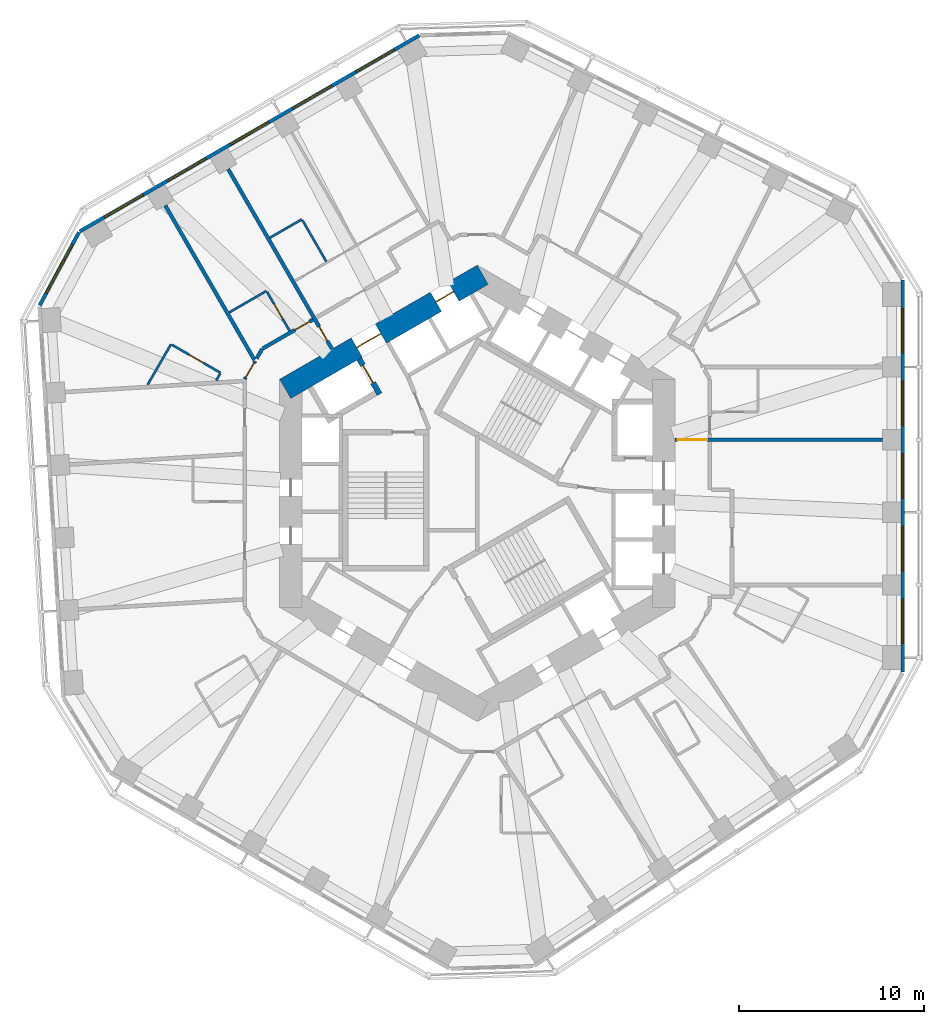
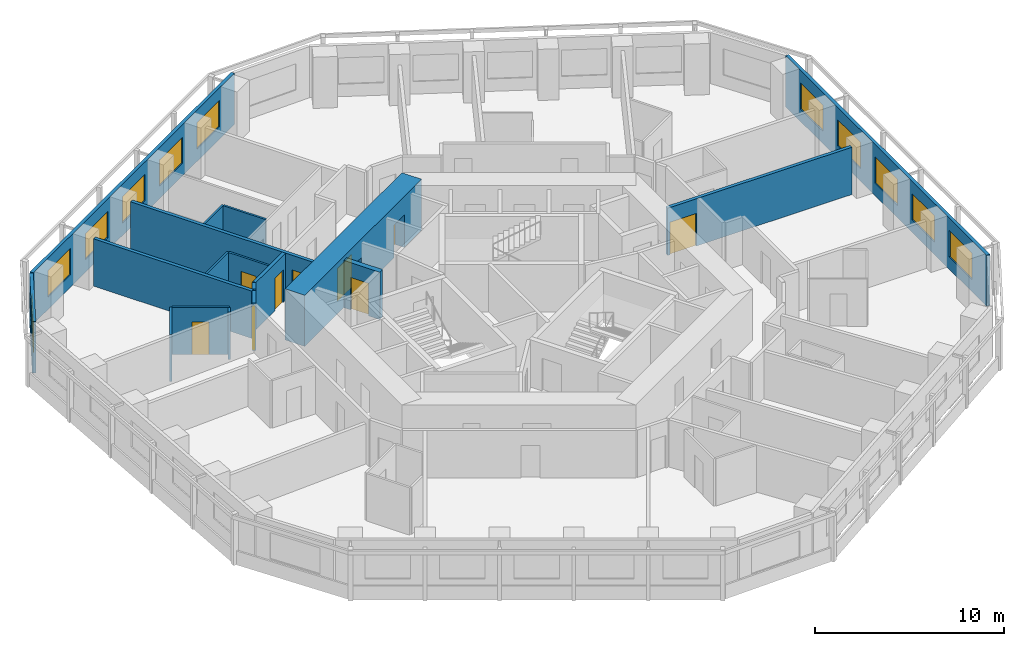
# One storey, part 7 of 12: 18 walls, 11 windows, 9 doors, 20 openings.
"""IFC4 building model written with IfcOpenShell, lengths in metres."""

from ifc_helpers import new_model, si_unit, direction, frame, frame_2d, origin, place, context, subcontext, project, spatial, rectangle, extrude, material, layer, layer_set, type_object, element, fill, save


model = new_model("IFC4")

# Units and contexts
model_context = context("Model", 3, precision=1e-05, world=origin(), true_north=direction((0.0, 1.0)))
body_context = subcontext(model_context, "Body", "Model", "MODEL_VIEW")
ifc_project = project(units=[si_unit("LENGTHUNIT", "METRE"), si_unit("AREAUNIT", "SQUARE_METRE"), si_unit("VOLUMEUNIT", "CUBIC_METRE"), si_unit("PLANEANGLEUNIT", "RADIAN"), si_unit("MASSUNIT", "GRAM", prefix="KILO")], contexts=[model_context])

# Site, building, storey
site_placement = place(None, origin())
site = spatial("IfcSite", under=ifc_project, at=site_placement, CompositionType="ELEMENT")
building_placement = place(site_placement, origin())
building = spatial("IfcBuilding", under=site, at=building_placement, Name="Vanh Sen Convention Tower", CompositionType="ELEMENT")
storey_placement = place(building_placement, frame((0.0, 0.0, 113.300048828125)))
storey = spatial("IfcBuildingStorey", under=building, at=storey_placement, Name="L27", CompositionType="ELEMENT", Elevation=113.300048828125)

# Wall
ifc_material_1 = material(Name="Moisture-resistant gypsum board on steel studs", Category="steel")
ifc_layer_1 = layer(ifc_material_1, 0.1201171875)
ifc_layer_set_1 = layer_set([ifc_layer_1], Name="Moisture-resistant gypsum board on steel studs")
wall_type_1 = type_object("IfcWallType", Name="Bathroom partition 120", PredefinedType="PARTITIONING", material=ifc_layer_set_1)
wall_1_placement = place(storey_placement, frame((-17.849365234375, 5.885498046875, 0.0), z_axis=(0.0, 0.0, 1.0), x_axis=(0.500034589094, 0.866005432841, 0.0)))
element("IfcWall", 1, at=wall_1_placement, inside=storey, type_object=wall_type_1, Name="Bathroom partition 120", PredefinedType="PARTITIONING", context=body_context, shape_type="SweptSolid", body=[
    extrude(rectangle(XDim=2.527587890625, YDim=0.1201171875, at=frame_2d((1.263671875, 0.0))), origin(), (0.0, 0.0, 1.0), 3.050048828125),
])

# Wall, opening, door
wall_2_placement = place(storey_placement, frame((-16.533447265625, 8.04443359375, 0.0), z_axis=(0.0, 0.0, 1.0), x_axis=(0.86601037836, -0.500026023896, 0.0)))
wall_2 = element("IfcWall", 2, at=wall_2_placement, inside=storey, type_object=wall_type_1, Name="Bathroom partition 120", PredefinedType="PARTITIONING", context=body_context, shape_type="SweptSolid", body=[
    extrude(rectangle(XDim=3.039794921875, YDim=0.1201171875, at=frame_2d((1.52001953125, 0.0))), origin(), (0.0, 0.0, 1.0), 3.050048828125),
])
opening_1_placement = place(wall_2_placement, frame((1.070068359375, 0.0, 0.0)))
opening_1 = element("IfcOpeningElement", 3, at=opening_1_placement, cuts=wall_2, Name="Opening D27117", PredefinedType="OPENING", context=body_context, shape_type="SweptSolid", body=[
    extrude(rectangle(XDim=0.89990234375, YDim=2.10009765625, at=frame_2d((0.449951171875, 1.050048828125))), frame((0.0, 0.070068359375, 0.0), z_axis=(0.0, -1.0, 0.0), x_axis=(1.0, 0.0, 0.0)), (0.0, 0.0, 1.0), 0.14013671875),
])
ifc_material_2 = material(Name="Laminate door in steel frame", Category="steel")
door_type_1 = type_object("IfcDoorType", Name="En-suite door 900", OperationType="SINGLE_SWING_LEFT", PredefinedType="DOOR", material=ifc_material_2)
door_1_placement = place(opening_1_placement, origin())
door_1 = element("IfcDoor", 4, at=door_1_placement, inside=storey, type_object=door_type_1, Name="En-suite door D27117", OperationType="SINGLE_SWING_LEFT", OverallHeight=2.10009765625, OverallWidth=0.89990234375, PredefinedType="DOOR", context=body_context, shape_type="SweptSolid", body=[
    extrude(rectangle(XDim=0.89990234375, YDim=2.10009765625, at=frame_2d((0.449951171875, 1.050048828125))), frame((0.0, 0.02490234375, 0.0), z_axis=(0.0, -1.0, 0.0), x_axis=(1.0, 0.0, 0.0)), (0.0, 0.0, 1.0), 0.050048828125),
])
fill(opening_1, door_1)

# Walls
wall_3_placement = place(storey_placement, frame((-13.930908203125, 6.472412109375, 0.0), z_axis=(0.0, 0.0, 1.0), x_axis=(-0.499739399214, -0.866175809448, 0.0)))
element("IfcWall", 5, at=wall_3_placement, inside=storey, type_object=wall_type_1, Name="Bathroom partition 120", PredefinedType="PARTITIONING", context=body_context, shape_type="SweptSolid", body=[
    extrude(rectangle(XDim=0.415771484375, YDim=0.1201171875, at=frame_2d((0.2080078125, 0.0))), origin(), (0.0, 0.0, 1.0), 3.050048828125),
])
wall_4_placement = place(storey_placement, frame((-13.436279296875, 9.7939453125, 0.0), z_axis=(0.0, 0.0, 1.0), x_axis=(0.866053246676, 0.499951771596, 0.0)))
element("IfcWall", 6, at=wall_4_placement, inside=storey, type_object=wall_type_1, Name="Bathroom partition 120", PredefinedType="PARTITIONING", context=body_context, shape_type="SweptSolid", body=[
    extrude(rectangle(XDim=2.334716796875, YDim=0.1201171875, at=frame_2d((1.16748046875, 0.0))), origin(), (0.0, 0.0, 1.0), 3.050048828125),
])

# Wall, opening, door
wall_5_placement = place(storey_placement, frame((-11.384521484375, 10.9091796875, 0.0), z_axis=(0.0, 0.0, 1.0), x_axis=(0.500077547548, -0.865980627057, 0.0)))
wall_5 = element("IfcWall", 7, at=wall_5_placement, inside=storey, type_object=wall_type_1, Name="Bathroom partition 120", PredefinedType="PARTITIONING", context=body_context, shape_type="SweptSolid", body=[
    extrude(rectangle(XDim=2.43994140625, YDim=0.1201171875, at=frame_2d((1.219970703125, 0.0))), origin(), (0.0, 0.0, 1.0), 3.050048828125),
])
opening_2_placement = place(wall_5_placement, frame((0.77001953125, 0.0, 0.0)))
opening_2 = element("IfcOpeningElement", 8, at=opening_2_placement, cuts=wall_5, Name="Opening D27115", PredefinedType="OPENING", context=body_context, shape_type="SweptSolid", body=[
    extrude(rectangle(XDim=0.89990234375, YDim=2.10009765625, at=frame_2d((0.449951171875, 1.050048828125))), frame((0.0, 0.070068359375, 0.0), z_axis=(0.0, -1.0, 0.0), x_axis=(1.0, 0.0, 0.0)), (0.0, 0.0, 1.0), 0.14013671875),
])
door_2_placement = place(opening_2_placement, origin())
door_2 = element("IfcDoor", 9, at=door_2_placement, inside=storey, type_object=door_type_1, Name="En-suite door D27115", OperationType="SINGLE_SWING_LEFT", OverallHeight=2.10009765625, OverallWidth=0.89990234375, PredefinedType="DOOR", context=body_context, shape_type="SweptSolid", body=[
    extrude(rectangle(XDim=0.89990234375, YDim=2.10009765625, at=frame_2d((0.449951171875, 1.050048828125))), frame((0.0, 0.02490234375, 0.0), z_axis=(0.0, -1.0, 0.0), x_axis=(1.0, 0.0, 0.0)), (0.0, 0.0, 1.0), 0.050048828125),
])
fill(opening_2, door_2)

# Walls
wall_6_placement = place(storey_placement, frame((-9.49658203125, 14.83984375, 0.0), z_axis=(0.0, 0.0, 1.0), x_axis=(-0.866041268327, -0.499972520799, 0.0)))
element("IfcWall", 10, at=wall_6_placement, inside=storey, type_object=wall_type_1, Name="Bathroom partition 120", PredefinedType="PARTITIONING", context=body_context, shape_type="SweptSolid", body=[
    extrude(rectangle(XDim=2.0, YDim=0.1201171875, at=frame_2d((1.0, 0.0))), origin(), (0.0, 0.0, 1.0), 3.050048828125),
])
wall_7_placement = place(storey_placement, frame((-8.1767578125, 12.553466796875, 0.0), z_axis=(0.0, 0.0, 1.0), x_axis=(-0.500006411147, 0.866021702275, 0.0)))
element("IfcWall", 11, at=wall_7_placement, inside=storey, type_object=wall_type_1, Name="Bathroom partition 120", PredefinedType="PARTITIONING", context=body_context, shape_type="SweptSolid", body=[
    extrude(rectangle(XDim=2.580078125, YDim=0.1201171875, at=frame_2d((1.2900390625, 0.0))), origin(), (0.0, 0.0, 1.0), 3.050048828125),
])

# Wall, openings, doors
ifc_material_3 = material(Name="Concrete C80/95", Category="concrete")
ifc_layer_2 = layer(ifc_material_3, 1.199951171875)
ifc_layer_set_2 = layer_set([ifc_layer_2], Name="Concrete C80/95")
wall_type_2 = type_object("IfcWallType", Name="Core outer wall 1200 C80/95", PredefinedType="SHEAR", material=ifc_layer_set_2)
wall_8_placement = place(storey_placement, frame((0.300048828125, 11.835693359375, 0.0), z_axis=(0.0, 0.0, 1.0), x_axis=(-0.866021384402, -0.500006961711, 0.0)))
wall_8 = element("IfcWall", 12, at=wall_8_placement, inside=storey, type_object=wall_type_2, Name="Core wall face NW L27", PredefinedType="SHEAR", context=body_context, shape_type="SweptSolid", body=[
    extrude(rectangle(XDim=12.355224609375, YDim=1.199951171875, at=frame_2d((6.177734375, 0.0))), origin(), (0.0, 0.0, 1.0), 3.300048828125),
])
opening_3_placement = place(wall_8_placement, frame((6.377685546875, 0.0, 0.0)))
opening_3 = element("IfcOpeningElement", 13, at=opening_3_placement, cuts=wall_8, Name="Opening D27002", PredefinedType="OPENING", context=body_context, shape_type="SweptSolid", body=[
    extrude(rectangle(XDim=1.5, YDim=2.10009765625, at=frame_2d((0.75, 1.050048828125))), frame((0.0, 0.60986328125, 0.0), z_axis=(0.0, -1.0, 0.0), x_axis=(1.0, 0.0, 0.0)), (0.0, 0.0, 1.0), 1.219970703125),
])
opening_4_placement = place(wall_8_placement, frame((1.82763671875, 0.0, 0.0)))
opening_4 = element("IfcOpeningElement", 14, at=opening_4_placement, cuts=wall_8, Name="Opening LD-LR6", PredefinedType="OPENING", context=body_context, shape_type="SweptSolid", body=[
    extrude(rectangle(XDim=1.10009765625, YDim=2.10009765625, at=frame_2d((0.550048828125, 1.050048828125))), frame((0.0, 0.60986328125, 0.0), z_axis=(0.0, -1.0, 0.0), x_axis=(1.0, 0.0, 0.0)), (0.0, 0.0, 1.0), 1.219970703125),
])
ifc_material_4 = material(Name="Stainless steel", Category="steel")
door_type_2 = type_object("IfcDoorType", Name="Lift landing door 1100", OperationType="DOUBLE_DOOR_SLIDING", PredefinedType="DOOR", material=ifc_material_4)
door_3_placement = place(opening_4_placement, origin())
door_3 = element("IfcDoor", 15, at=door_3_placement, inside=storey, type_object=door_type_2, Name="Lift LR6 landing door LD-LR6", OperationType="DOUBLE_DOOR_SLIDING", OverallHeight=2.10009765625, OverallWidth=1.10009765625, PredefinedType="DOOR", context=body_context, shape_type="SweptSolid", body=[
    extrude(rectangle(XDim=1.10009765625, YDim=2.10009765625, at=frame_2d((0.550048828125, 1.050048828125))), frame((0.0, 0.02490234375, 0.0), z_axis=(0.0, -1.0, 0.0), x_axis=(1.0, 0.0, 0.0)), (0.0, 0.0, 1.0), 0.050048828125),
])
fill(opening_4, door_3)
ifc_material_5 = material(Name="Steel S355", Category="steel")
door_type_3 = type_object("IfcDoorType", Name="Stair lobby door 1500", OperationType="DOUBLE_DOOR_SINGLE_SWING", PredefinedType="DOOR", material=ifc_material_5)
door_4_placement = place(opening_3_placement, origin())
door_4 = element("IfcDoor", 16, at=door_4_placement, inside=storey, type_object=door_type_3, Name="Stair lobby door D27002", OperationType="DOUBLE_DOOR_SINGLE_SWING", OverallHeight=2.10009765625, OverallWidth=1.5, PredefinedType="DOOR", context=body_context, shape_type="SweptSolid", body=[
    extrude(rectangle(XDim=1.5, YDim=2.10009765625, at=frame_2d((0.75, 1.050048828125))), frame((0.0, 0.02490234375, 0.0), z_axis=(0.0, -1.0, 0.0), x_axis=(1.0, 0.0, 0.0)), (0.0, 0.0, 1.0), 0.050048828125),
])
fill(opening_3, door_4)

# Wall, opening, door
ifc_material_6 = material(Name="Gypsum board on steel studs with mineral wool", Category="steel")
ifc_layer_3 = layer(ifc_material_6, 0.199951171875)
ifc_layer_set_3 = layer_set([ifc_layer_3], Name="Gypsum board on steel studs with mineral wool")
wall_type_3 = type_object("IfcWallType", Name="Corridor partition wall 200", PredefinedType="PARTITIONING", material=ifc_layer_set_3)
wall_9_placement = place(storey_placement, frame((-12.031982421875, 7.16162109375, 0.0), z_axis=(0.0, 0.0, 1.0), x_axis=(-0.499951829968, -0.866053212979, 0.0)))
wall_9 = element("IfcWall", 17, at=wall_9_placement, inside=storey, type_object=wall_type_3, Name="Corridor partition wall 200", PredefinedType="PARTITIONING", context=body_context, shape_type="SweptSolid", body=[
    extrude(rectangle(XDim=1.13623046875, YDim=0.199951171875, at=frame_2d((0.568115234375, 0.0))), origin(), (0.0, 0.0, 1.0), 3.050048828125),
])
opening_5_placement = place(wall_9_placement, frame((0.1181640625, 0.0, 0.0)))
opening_5 = element("IfcOpeningElement", 18, at=opening_5_placement, cuts=wall_9, Name="Opening D27116", PredefinedType="OPENING", context=body_context, shape_type="SweptSolid", body=[
    extrude(rectangle(XDim=0.89990234375, YDim=2.10009765625, at=frame_2d((0.449951171875, 1.050048828125))), frame((0.0, 0.10986328125, 0.0), z_axis=(0.0, -1.0, 0.0), x_axis=(1.0, 0.0, 0.0)), (0.0, 0.0, 1.0), 0.219970703125),
])
ifc_material_7 = material(Name="Timber fire door in steel frame", Category="steel")
door_type_4 = type_object("IfcDoorType", Name="Guest room door 900", OperationType="SINGLE_SWING_LEFT", PredefinedType="DOOR", material=ifc_material_7)
door_5_placement = place(opening_5_placement, origin())
door_5 = element("IfcDoor", 19, at=door_5_placement, inside=storey, type_object=door_type_4, Name="Hotel guest room door D27116", OperationType="SINGLE_SWING_LEFT", OverallHeight=2.10009765625, OverallWidth=0.89990234375, PredefinedType="DOOR", context=body_context, shape_type="SweptSolid", body=[
    extrude(rectangle(XDim=0.89990234375, YDim=2.10009765625, at=frame_2d((0.449951171875, 1.050048828125))), frame((0.0, 0.02490234375, 0.0), z_axis=(0.0, -1.0, 0.0), x_axis=(1.0, 0.0, 0.0)), (0.0, 0.0, 1.0), 0.050048828125),
])
fill(opening_5, door_5)

# Wall
wall_10_placement = place(storey_placement, frame((-11.64990234375, 7.822998046875, 0.0), z_axis=(0.0, 0.0, 1.0), x_axis=(-0.50012165622, -0.865955154139, 0.0)))
element("IfcWall", 20, at=wall_10_placement, inside=storey, type_object=wall_type_3, Name="Corridor partition wall 200", PredefinedType="PARTITIONING", context=body_context, shape_type="SweptSolid", body=[
    extrude(rectangle(XDim=0.599853515625, YDim=0.199951171875, at=frame_2d((0.2998046875, 0.0))), origin(), (0.0, 0.0, 1.0), 3.050048828125),
])

# Wall, opening, door
wall_11_placement = place(storey_placement, frame((-8.902099609375, 9.40966796875, 0.0), z_axis=(0.0, 0.0, 1.0), x_axis=(-0.866014299198, -0.500019233215, 0.0)))
wall_11 = element("IfcWall", 21, at=wall_11_placement, inside=storey, type_object=wall_type_3, Name="Corridor partition wall 200", PredefinedType="PARTITIONING", context=body_context, shape_type="SweptSolid", body=[
    extrude(rectangle(XDim=3.13330078125, YDim=0.199951171875, at=frame_2d((1.566650390625, 0.0))), origin(), (0.0, 0.0, 1.0), 3.050048828125),
])
opening_6_placement = place(wall_11_placement, frame((0.22509765625, 0.0, 0.0)))
opening_6 = element("IfcOpeningElement", 22, at=opening_6_placement, cuts=wall_11, Name="Opening D27114", PredefinedType="OPENING", context=body_context, shape_type="SweptSolid", body=[
    extrude(rectangle(XDim=0.89990234375, YDim=2.10009765625, at=frame_2d((0.449951171875, 1.050048828125))), frame((0.0, 0.10986328125, 0.0), z_axis=(0.0, -1.0, 0.0), x_axis=(1.0, 0.0, 0.0)), (0.0, 0.0, 1.0), 0.219970703125),
])
door_6_placement = place(opening_6_placement, origin())
door_6 = element("IfcDoor", 23, at=door_6_placement, inside=storey, type_object=door_type_4, Name="Hotel guest room door D27114", OperationType="SINGLE_SWING_LEFT", OverallHeight=2.10009765625, OverallWidth=0.89990234375, PredefinedType="DOOR", context=body_context, shape_type="SweptSolid", body=[
    extrude(rectangle(XDim=0.89990234375, YDim=2.10009765625, at=frame_2d((0.449951171875, 1.050048828125))), frame((0.0, 0.02490234375, 0.0), z_axis=(0.0, -1.0, 0.0), x_axis=(1.0, 0.0, 0.0)), (0.0, 0.0, 1.0), 0.050048828125),
])
fill(opening_6, door_6)

# Wall, openings, windows
ifc_material_8 = material(Name="Insulated lightweight infill wall")
ifc_layer_4 = layer(ifc_material_8, 0.199951171875)
ifc_layer_set_4 = layer_set([ifc_layer_4], Name="Insulated lightweight infill wall")
wall_type_4 = type_object("IfcWallType", Name="External wall 200", PredefinedType="STANDARD", material=ifc_layer_set_4)
wall_12_placement = place(storey_placement, frame((23.050048828125, -9.6865234375, 0.0), z_axis=(0.0, 0.0, 1.0), x_axis=(0.0, 1.0, 0.0)))
wall_12 = element("IfcWall", 24, at=wall_12_placement, inside=storey, type_object=wall_type_4, Name="External wall E L27", PredefinedType="STANDARD", context=body_context, shape_type="SweptSolid", body=[
    extrude(rectangle(XDim=21.24609375, YDim=0.199951171875, at=frame_2d((10.623046875, 0.0))), origin(), (0.0, 0.0, 1.0), 3.300048828125),
])
opening_7_placement = place(wall_12_placement, frame((1.5546875, 0.0, 0.800048828125)))
opening_7 = element("IfcOpeningElement", 25, at=opening_7_placement, cuts=wall_12, Name="Opening WH1-E1", PredefinedType="OPENING", context=body_context, shape_type="SweptSolid", body=[
    extrude(rectangle(XDim=2.39990234375, YDim=1.699951171875, at=frame_2d((1.199951171875, 0.85009765625))), frame((0.0, 0.10986328125, 0.0), z_axis=(0.0, -1.0, 0.0), x_axis=(1.0, 0.0, 0.0)), (0.0, 0.0, 1.0), 0.219970703125),
])
opening_8_placement = place(wall_12_placement, frame((5.4892578125, 0.0, 0.800048828125)))
opening_8 = element("IfcOpeningElement", 26, at=opening_8_placement, cuts=wall_12, Name="Opening WH1-E2", PredefinedType="OPENING", context=body_context, shape_type="SweptSolid", body=[
    extrude(rectangle(XDim=2.39990234375, YDim=1.699951171875, at=frame_2d((1.199951171875, 0.85009765625))), frame((0.0, 0.10986328125, 0.0), z_axis=(0.0, -1.0, 0.0), x_axis=(1.0, 0.0, 0.0)), (0.0, 0.0, 1.0), 0.219970703125),
])
opening_9_placement = place(wall_12_placement, frame((9.423828125, 0.0, 0.800048828125)))
opening_9 = element("IfcOpeningElement", 27, at=opening_9_placement, cuts=wall_12, Name="Opening WH1-E3", PredefinedType="OPENING", context=body_context, shape_type="SweptSolid", body=[
    extrude(rectangle(XDim=2.39990234375, YDim=1.699951171875, at=frame_2d((1.199951171875, 0.85009765625))), frame((0.0, 0.10986328125, 0.0), z_axis=(0.0, -1.0, 0.0), x_axis=(1.0, 0.0, 0.0)), (0.0, 0.0, 1.0), 0.219970703125),
])
opening_10_placement = place(wall_12_placement, frame((13.3583984375, 0.0, 0.800048828125)))
opening_10 = element("IfcOpeningElement", 28, at=opening_10_placement, cuts=wall_12, Name="Opening WH1-E4", PredefinedType="OPENING", context=body_context, shape_type="SweptSolid", body=[
    extrude(rectangle(XDim=2.39990234375, YDim=1.699951171875, at=frame_2d((1.199951171875, 0.85009765625))), frame((0.0, 0.10986328125, 0.0), z_axis=(0.0, -1.0, 0.0), x_axis=(1.0, 0.0, 0.0)), (0.0, 0.0, 1.0), 0.219970703125),
])
opening_11_placement = place(wall_12_placement, frame((17.29296875, 0.0, 0.800048828125)))
opening_11 = element("IfcOpeningElement", 29, at=opening_11_placement, cuts=wall_12, Name="Opening WH1-E5", PredefinedType="OPENING", context=body_context, shape_type="SweptSolid", body=[
    extrude(rectangle(XDim=2.39990234375, YDim=1.699951171875, at=frame_2d((1.199951171875, 0.85009765625))), frame((0.0, 0.10986328125, 0.0), z_axis=(0.0, -1.0, 0.0), x_axis=(1.0, 0.0, 0.0)), (0.0, 0.0, 1.0), 0.219970703125),
])
ifc_material_9 = material(Name="Aluminium frame with clear low-emissivity glass", Category="aluminium")
window_type_1 = type_object("IfcWindowType", Name="Hotel window 2400 x 1700", PartitioningType="SINGLE_PANEL", PredefinedType="WINDOW", material=ifc_material_9)
window_1_placement = place(opening_7_placement, origin())
window_1 = element("IfcWindow", 30, at=window_1_placement, inside=storey, type_object=window_type_1, Name="Window WH1-E1", OverallHeight=1.699951171875, OverallWidth=2.39990234375, PartitioningType="SINGLE_PANEL", PredefinedType="WINDOW", context=body_context, shape_type="SweptSolid", body=[
    extrude(rectangle(XDim=2.39990234375, YDim=1.699951171875, at=frame_2d((1.199951171875, 0.85009765625))), frame((0.0, 0.030029296875, 0.0), z_axis=(0.0, -1.0, 0.0), x_axis=(1.0, 0.0, 0.0)), (0.0, 0.0, 1.0), 0.06005859375),
])
fill(opening_7, window_1)
window_2_placement = place(opening_8_placement, origin())
window_2 = element("IfcWindow", 31, at=window_2_placement, inside=storey, type_object=window_type_1, Name="Window WH1-E2", OverallHeight=1.699951171875, OverallWidth=2.39990234375, PartitioningType="SINGLE_PANEL", PredefinedType="WINDOW", context=body_context, shape_type="SweptSolid", body=[
    extrude(rectangle(XDim=2.39990234375, YDim=1.699951171875, at=frame_2d((1.199951171875, 0.85009765625))), frame((0.0, 0.030029296875, 0.0), z_axis=(0.0, -1.0, 0.0), x_axis=(1.0, 0.0, 0.0)), (0.0, 0.0, 1.0), 0.06005859375),
])
fill(opening_8, window_2)
window_3_placement = place(opening_9_placement, origin())
window_3 = element("IfcWindow", 32, at=window_3_placement, inside=storey, type_object=window_type_1, Name="Window WH1-E3", OverallHeight=1.699951171875, OverallWidth=2.39990234375, PartitioningType="SINGLE_PANEL", PredefinedType="WINDOW", context=body_context, shape_type="SweptSolid", body=[
    extrude(rectangle(XDim=2.39990234375, YDim=1.699951171875, at=frame_2d((1.199951171875, 0.85009765625))), frame((0.0, 0.030029296875, 0.0), z_axis=(0.0, -1.0, 0.0), x_axis=(1.0, 0.0, 0.0)), (0.0, 0.0, 1.0), 0.06005859375),
])
fill(opening_9, window_3)
window_4_placement = place(opening_10_placement, origin())
window_4 = element("IfcWindow", 33, at=window_4_placement, inside=storey, type_object=window_type_1, Name="Window WH1-E4", OverallHeight=1.699951171875, OverallWidth=2.39990234375, PartitioningType="SINGLE_PANEL", PredefinedType="WINDOW", context=body_context, shape_type="SweptSolid", body=[
    extrude(rectangle(XDim=2.39990234375, YDim=1.699951171875, at=frame_2d((1.199951171875, 0.85009765625))), frame((0.0, 0.030029296875, 0.0), z_axis=(0.0, -1.0, 0.0), x_axis=(1.0, 0.0, 0.0)), (0.0, 0.0, 1.0), 0.06005859375),
])
fill(opening_10, window_4)
window_5_placement = place(opening_11_placement, origin())
window_5 = element("IfcWindow", 34, at=window_5_placement, inside=storey, type_object=window_type_1, Name="Window WH1-E5", OverallHeight=1.699951171875, OverallWidth=2.39990234375, PartitioningType="SINGLE_PANEL", PredefinedType="WINDOW", context=body_context, shape_type="SweptSolid", body=[
    extrude(rectangle(XDim=2.39990234375, YDim=1.699951171875, at=frame_2d((1.199951171875, 0.85009765625))), frame((0.0, 0.030029296875, 0.0), z_axis=(0.0, -1.0, 0.0), x_axis=(1.0, 0.0, 0.0)), (0.0, 0.0, 1.0), 0.06005859375),
])
fill(opening_11, window_5)

wall_13_placement = place(storey_placement, frame((-3.135986328125, 24.80517578125, 0.0), z_axis=(0.0, 0.0, 1.0), x_axis=(-0.866028291626, -0.499994998079, 0.0)))
wall_13 = element("IfcWall", 35, at=wall_13_placement, inside=storey, type_object=wall_type_4, Name="External wall NW L27", PredefinedType="STANDARD", context=body_context, shape_type="SweptSolid", body=[
    extrude(rectangle(XDim=21.246337890625, YDim=0.199951171875, at=frame_2d((10.623046875, 0.0))), origin(), (0.0, 0.0, 1.0), 3.300048828125),
])
opening_12_placement = place(wall_13_placement, frame((1.5546875, 0.0, 0.800048828125)))
opening_12 = element("IfcOpeningElement", 36, at=opening_12_placement, cuts=wall_13, Name="Opening WH1-NW1", PredefinedType="OPENING", context=body_context, shape_type="SweptSolid", body=[
    extrude(rectangle(XDim=2.39990234375, YDim=1.699951171875, at=frame_2d((1.199951171875, 0.85009765625))), frame((0.0, 0.10986328125, 0.0), z_axis=(0.0, -1.0, 0.0), x_axis=(1.0, 0.0, 0.0)), (0.0, 0.0, 1.0), 0.219970703125),
])
opening_13_placement = place(wall_13_placement, frame((5.4892578125, 0.0, 0.800048828125)))
opening_13 = element("IfcOpeningElement", 37, at=opening_13_placement, cuts=wall_13, Name="Opening WH1-NW2", PredefinedType="OPENING", context=body_context, shape_type="SweptSolid", body=[
    extrude(rectangle(XDim=2.39990234375, YDim=1.699951171875, at=frame_2d((1.199951171875, 0.85009765625))), frame((0.0, 0.10986328125, 0.0), z_axis=(0.0, -1.0, 0.0), x_axis=(1.0, 0.0, 0.0)), (0.0, 0.0, 1.0), 0.219970703125),
])
opening_14_placement = place(wall_13_placement, frame((9.423828125, 0.0, 0.800048828125)))
opening_14 = element("IfcOpeningElement", 38, at=opening_14_placement, cuts=wall_13, Name="Opening WH1-NW3", PredefinedType="OPENING", context=body_context, shape_type="SweptSolid", body=[
    extrude(rectangle(XDim=2.39990234375, YDim=1.699951171875, at=frame_2d((1.199951171875, 0.85009765625))), frame((0.0, 0.10986328125, 0.0), z_axis=(0.0, -1.0, 0.0), x_axis=(1.0, 0.0, 0.0)), (0.0, 0.0, 1.0), 0.219970703125),
])
opening_15_placement = place(wall_13_placement, frame((13.3583984375, 0.0, 0.800048828125)))
opening_15 = element("IfcOpeningElement", 39, at=opening_15_placement, cuts=wall_13, Name="Opening WH1-NW4", PredefinedType="OPENING", context=body_context, shape_type="SweptSolid", body=[
    extrude(rectangle(XDim=2.39990234375, YDim=1.699951171875, at=frame_2d((1.199951171875, 0.85009765625))), frame((0.0, 0.10986328125, 0.0), z_axis=(0.0, -1.0, 0.0), x_axis=(1.0, 0.0, 0.0)), (0.0, 0.0, 1.0), 0.219970703125),
])
opening_16_placement = place(wall_13_placement, frame((17.293212890625, 0.0, 0.800048828125)))
opening_16 = element("IfcOpeningElement", 40, at=opening_16_placement, cuts=wall_13, Name="Opening WH1-NW5", PredefinedType="OPENING", context=body_context, shape_type="SweptSolid", body=[
    extrude(rectangle(XDim=2.39990234375, YDim=1.699951171875, at=frame_2d((1.199951171875, 0.85009765625))), frame((0.0, 0.10986328125, 0.0), z_axis=(0.0, -1.0, 0.0), x_axis=(1.0, 0.0, 0.0)), (0.0, 0.0, 1.0), 0.219970703125),
])
window_6_placement = place(opening_12_placement, origin())
window_6 = element("IfcWindow", 41, at=window_6_placement, inside=storey, type_object=window_type_1, Name="Window WH1-NW1", OverallHeight=1.699951171875, OverallWidth=2.39990234375, PartitioningType="SINGLE_PANEL", PredefinedType="WINDOW", context=body_context, shape_type="SweptSolid", body=[
    extrude(rectangle(XDim=2.39990234375, YDim=1.699951171875, at=frame_2d((1.199951171875, 0.85009765625))), frame((0.0, 0.030029296875, 0.0), z_axis=(0.0, -1.0, 0.0), x_axis=(1.0, 0.0, 0.0)), (0.0, 0.0, 1.0), 0.06005859375),
])
fill(opening_12, window_6)
window_7_placement = place(opening_13_placement, origin())
window_7 = element("IfcWindow", 42, at=window_7_placement, inside=storey, type_object=window_type_1, Name="Window WH1-NW2", OverallHeight=1.699951171875, OverallWidth=2.39990234375, PartitioningType="SINGLE_PANEL", PredefinedType="WINDOW", context=body_context, shape_type="SweptSolid", body=[
    extrude(rectangle(XDim=2.39990234375, YDim=1.699951171875, at=frame_2d((1.199951171875, 0.85009765625))), frame((0.0, 0.030029296875, 0.0), z_axis=(0.0, -1.0, 0.0), x_axis=(1.0, 0.0, 0.0)), (0.0, 0.0, 1.0), 0.06005859375),
])
fill(opening_13, window_7)
window_8_placement = place(opening_14_placement, origin())
window_8 = element("IfcWindow", 43, at=window_8_placement, inside=storey, type_object=window_type_1, Name="Window WH1-NW3", OverallHeight=1.699951171875, OverallWidth=2.39990234375, PartitioningType="SINGLE_PANEL", PredefinedType="WINDOW", context=body_context, shape_type="SweptSolid", body=[
    extrude(rectangle(XDim=2.39990234375, YDim=1.699951171875, at=frame_2d((1.199951171875, 0.85009765625))), frame((0.0, 0.030029296875, 0.0), z_axis=(0.0, -1.0, 0.0), x_axis=(1.0, 0.0, 0.0)), (0.0, 0.0, 1.0), 0.06005859375),
])
fill(opening_14, window_8)
window_9_placement = place(opening_15_placement, origin())
window_9 = element("IfcWindow", 44, at=window_9_placement, inside=storey, type_object=window_type_1, Name="Window WH1-NW4", OverallHeight=1.699951171875, OverallWidth=2.39990234375, PartitioningType="SINGLE_PANEL", PredefinedType="WINDOW", context=body_context, shape_type="SweptSolid", body=[
    extrude(rectangle(XDim=2.39990234375, YDim=1.699951171875, at=frame_2d((1.199951171875, 0.85009765625))), frame((0.0, 0.030029296875, 0.0), z_axis=(0.0, -1.0, 0.0), x_axis=(1.0, 0.0, 0.0)), (0.0, 0.0, 1.0), 0.06005859375),
])
fill(opening_15, window_9)
window_10_placement = place(opening_16_placement, origin())
window_10 = element("IfcWindow", 45, at=window_10_placement, inside=storey, type_object=window_type_1, Name="Window WH1-NW5", OverallHeight=1.699951171875, OverallWidth=2.39990234375, PartitioningType="SINGLE_PANEL", PredefinedType="WINDOW", context=body_context, shape_type="SweptSolid", body=[
    extrude(rectangle(XDim=2.39990234375, YDim=1.699951171875, at=frame_2d((1.199951171875, 0.85009765625))), frame((0.0, 0.030029296875, 0.0), z_axis=(0.0, -1.0, 0.0), x_axis=(1.0, 0.0, 0.0)), (0.0, 0.0, 1.0), 0.06005859375),
])
fill(opening_16, window_10)

# Wall, opening, window
wall_14_placement = place(storey_placement, frame((-21.573974609375, 14.142822265625, 0.0), z_axis=(0.0, 0.0, 1.0), x_axis=(-0.473292949472, -0.880905093628, 0.0)))
wall_14 = element("IfcWall", 46, at=wall_14_placement, inside=storey, type_object=wall_type_4, Name="External wall CH3 L27", PredefinedType="STANDARD", context=body_context, shape_type="SweptSolid", body=[
    extrude(rectangle(XDim=4.493896484375, YDim=0.199951171875, at=frame_2d((2.2470703125, 0.0))), origin(), (0.0, 0.0, 1.0), 3.300048828125),
])
opening_17_placement = place(wall_14_placement, frame((0.746826171875, 0.0, 0.800048828125)))
opening_17 = element("IfcOpeningElement", 47, at=opening_17_placement, cuts=wall_14, Name="Opening WH2-CH31", PredefinedType="OPENING", context=body_context, shape_type="SweptSolid", body=[
    extrude(rectangle(XDim=3.0, YDim=1.699951171875, at=frame_2d((1.5, 0.85009765625))), frame((0.0, 0.10986328125, 0.0), z_axis=(0.0, -1.0, 0.0), x_axis=(1.0, 0.0, 0.0)), (0.0, 0.0, 1.0), 0.219970703125),
])
window_type_2 = type_object("IfcWindowType", Name="Hotel window 3000 x 1700", PartitioningType="SINGLE_PANEL", PredefinedType="WINDOW", material=ifc_material_9)
window_11_placement = place(opening_17_placement, origin())
window_11 = element("IfcWindow", 48, at=window_11_placement, inside=storey, type_object=window_type_2, Name="Window WH2-CH31", OverallHeight=1.699951171875, OverallWidth=3.0, PartitioningType="SINGLE_PANEL", PredefinedType="WINDOW", context=body_context, shape_type="SweptSolid", body=[
    extrude(rectangle(XDim=3.0, YDim=1.699951171875, at=frame_2d((1.5, 0.85009765625))), frame((0.0, 0.030029296875, 0.0), z_axis=(0.0, -1.0, 0.0), x_axis=(1.0, 0.0, 0.0)), (0.0, 0.0, 1.0), 0.06005859375),
])
fill(opening_17, window_11)

# Wall, opening, door
ifc_material_10 = material(Name="Concrete C60/75", Category="concrete")
ifc_layer_5 = layer(ifc_material_10, 0.300048828125)
ifc_layer_set_5 = layer_set([ifc_layer_5], Name="Concrete C60/75")
wall_type_5 = type_object("IfcWallType", Name="Fire-fighting lift shaft wall 300", PredefinedType="SHEAR", material=ifc_layer_set_5)
wall_15_placement = place(storey_placement, frame((-5.29541015625, 5.3720703125, 0.0), z_axis=(0.0, 0.0, 1.0), x_axis=(-0.500077893725, 0.86598042715, 0.0)))
wall_15 = element("IfcWall", 49, at=wall_15_placement, inside=storey, type_object=wall_type_5, Name="Fire-fighting lift shaft wall L27", PredefinedType="SHEAR", context=body_context, shape_type="SweptSolid", body=[
    extrude(rectangle(XDim=2.199951171875, YDim=0.300048828125, at=frame_2d((1.10009765625, 0.0))), origin(), (0.0, 0.0, 1.0), 3.050048828125),
])
opening_18_placement = place(wall_15_placement, frame((0.699951171875, 0.0, 0.0)))
opening_18 = element("IfcOpeningElement", 50, at=opening_18_placement, cuts=wall_15, Name="Opening LD-FF2", PredefinedType="OPENING", context=body_context, shape_type="SweptSolid", body=[
    extrude(rectangle(XDim=1.10009765625, YDim=2.10009765625, at=frame_2d((0.550048828125, 1.050048828125))), frame((0.0, 0.159912109375, 0.0), z_axis=(0.0, -1.0, 0.0), x_axis=(1.0, 0.0, 0.0)), (0.0, 0.0, 1.0), 0.320068359375),
])
door_type_5 = type_object("IfcDoorType", Name="Fire-fighting lift landing door 1100", OperationType="DOUBLE_DOOR_SLIDING", PredefinedType="DOOR", material=ifc_material_4)
door_7_placement = place(opening_18_placement, origin())
door_7 = element("IfcDoor", 51, at=door_7_placement, inside=storey, type_object=door_type_5, Name="Lift FF2 landing door LD-FF2", OperationType="DOUBLE_DOOR_SLIDING", OverallHeight=2.10009765625, OverallWidth=1.10009765625, PredefinedType="DOOR", context=body_context, shape_type="SweptSolid", body=[
    extrude(rectangle(XDim=1.10009765625, YDim=2.10009765625, at=frame_2d((0.550048828125, 1.050048828125))), frame((0.0, 0.02490234375, 0.0), z_axis=(0.0, -1.0, 0.0), x_axis=(1.0, 0.0, 0.0)), (0.0, 0.0, 1.0), 0.050048828125),
])
fill(opening_18, door_7)

# Wall
ifc_layer_6 = layer(ifc_material_6, 0.199951171875)
ifc_layer_set_6 = layer_set([ifc_layer_6], Name="Gypsum board on steel studs with mineral wool")
wall_type_6 = type_object("IfcWallType", Name="Hotel party wall 200", PredefinedType="PARTITIONING", material=ifc_layer_set_6)
wall_16_placement = place(storey_placement, frame((-16.89794921875, 15.589599609375, 0.0), z_axis=(0.0, 0.0, 1.0), x_axis=(0.499994742786, -0.866028439017, 0.0)))
element("IfcWall", 52, at=wall_16_placement, inside=storey, type_object=wall_type_6, Name="Hotel party wall 200", PredefinedType="PARTITIONING", context=body_context, shape_type="SweptSolid", body=[
    extrude(rectangle(XDim=9.64990234375, YDim=0.199951171875, at=frame_2d((4.824951171875, 0.0))), origin(), (0.0, 0.0, 1.0), 3.050048828125),
])

# Wall, opening, door
ifc_material_11 = material(Name="Concrete C20/25", Category="concrete")
ifc_layer_7 = layer(ifc_material_11, 0.199951171875)
ifc_layer_set_7 = layer_set([ifc_layer_7], Name="Concrete C20/25")
wall_type_7 = type_object("IfcWallType", Name="Sub-compartment wall 200", PredefinedType="PARTITIONING", material=ifc_layer_set_7)
wall_17_placement = place(storey_placement, frame((-7.865478515625, 7.814208984375, 0.0), z_axis=(0.0, 0.0, 1.0), x_axis=(-0.500004234368, 0.866022959057, 0.0)))
wall_17 = element("IfcWall", 53, at=wall_17_placement, inside=storey, type_object=wall_type_7, Name="Sub-compartment wall 200", PredefinedType="PARTITIONING", context=body_context, shape_type="SweptSolid", body=[
    extrude(rectangle(XDim=11.25, YDim=0.199951171875, at=frame_2d((5.625, 0.0))), origin(), (0.0, 0.0, 1.0), 3.050048828125),
])
opening_19_placement = place(wall_17_placement, frame((0.5, 0.0, 0.0)))
opening_19 = element("IfcOpeningElement", 54, at=opening_19_placement, cuts=wall_17, Name="Opening D27133", PredefinedType="OPENING", context=body_context, shape_type="SweptSolid", body=[
    extrude(rectangle(XDim=0.89990234375, YDim=2.10009765625, at=frame_2d((0.449951171875, 1.050048828125))), frame((0.0, 0.10986328125, 0.0), z_axis=(0.0, -1.0, 0.0), x_axis=(1.0, 0.0, 0.0)), (0.0, 0.0, 1.0), 0.219970703125),
])
ifc_material_12 = material(Name="Steel S355", Category="steel")
door_type_6 = type_object("IfcDoorType", Name="Corridor fire door 900", OperationType="SINGLE_SWING_LEFT", PredefinedType="DOOR", material=ifc_material_12)
door_8_placement = place(opening_19_placement, origin())
door_8 = element("IfcDoor", 55, at=door_8_placement, inside=storey, type_object=door_type_6, Name="Sub-compartment door D27133", OperationType="SINGLE_SWING_LEFT", OverallHeight=2.10009765625, OverallWidth=0.89990234375, PredefinedType="DOOR", context=body_context, shape_type="SweptSolid", body=[
    extrude(rectangle(XDim=0.89990234375, YDim=2.10009765625, at=frame_2d((0.449951171875, 1.050048828125))), frame((0.0, 0.02490234375, 0.0), z_axis=(0.0, -1.0, 0.0), x_axis=(1.0, 0.0, 0.0)), (0.0, 0.0, 1.0), 0.050048828125),
])
fill(opening_19, door_8)

wall_18_placement = place(storey_placement, frame((21.949951171875, 2.904541015625, 0.0), z_axis=(0.0, 0.0, 1.0), x_axis=(-1.0, 0.0, 0.0)))
wall_18 = element("IfcWall", 56, at=wall_18_placement, inside=storey, type_object=wall_type_7, Name="Sub-compartment wall 200", PredefinedType="PARTITIONING", context=body_context, shape_type="SweptSolid", body=[
    extrude(rectangle(XDim=11.25, YDim=0.199951171875, at=frame_2d((5.625, 0.0))), origin(), (0.0, 0.0, 1.0), 3.050048828125),
])
opening_20_placement = place(wall_18_placement, frame((9.5, 0.0, 0.0)))
opening_20 = element("IfcOpeningElement", 57, at=opening_20_placement, cuts=wall_18, Name="Opening D27134", PredefinedType="OPENING", context=body_context, shape_type="SweptSolid", body=[
    extrude(rectangle(XDim=1.60009765625, YDim=2.10009765625, at=frame_2d((0.800048828125, 1.050048828125))), frame((0.0, 0.10986328125, 0.0), z_axis=(0.0, -1.0, 0.0), x_axis=(1.0, 0.0, 0.0)), (0.0, 0.0, 1.0), 0.219970703125),
])
door_type_7 = type_object("IfcDoorType", Name="Corridor fire door 1600", OperationType="DOUBLE_DOOR_SINGLE_SWING", PredefinedType="DOOR", material=ifc_material_12)
door_9_placement = place(opening_20_placement, origin())
door_9 = element("IfcDoor", 58, at=door_9_placement, inside=storey, type_object=door_type_7, Name="Sub-compartment door D27134", OperationType="DOUBLE_DOOR_SINGLE_SWING", OverallHeight=2.10009765625, OverallWidth=1.60009765625, PredefinedType="DOOR", context=body_context, shape_type="SweptSolid", body=[
    extrude(rectangle(XDim=1.60009765625, YDim=2.10009765625, at=frame_2d((0.800048828125, 1.050048828125))), frame((0.0, 0.02490234375, 0.0), z_axis=(0.0, -1.0, 0.0), x_axis=(1.0, 0.0, 0.0)), (0.0, 0.0, 1.0), 0.050048828125),
])
fill(opening_20, door_9)

save(model, "model.ifc")
